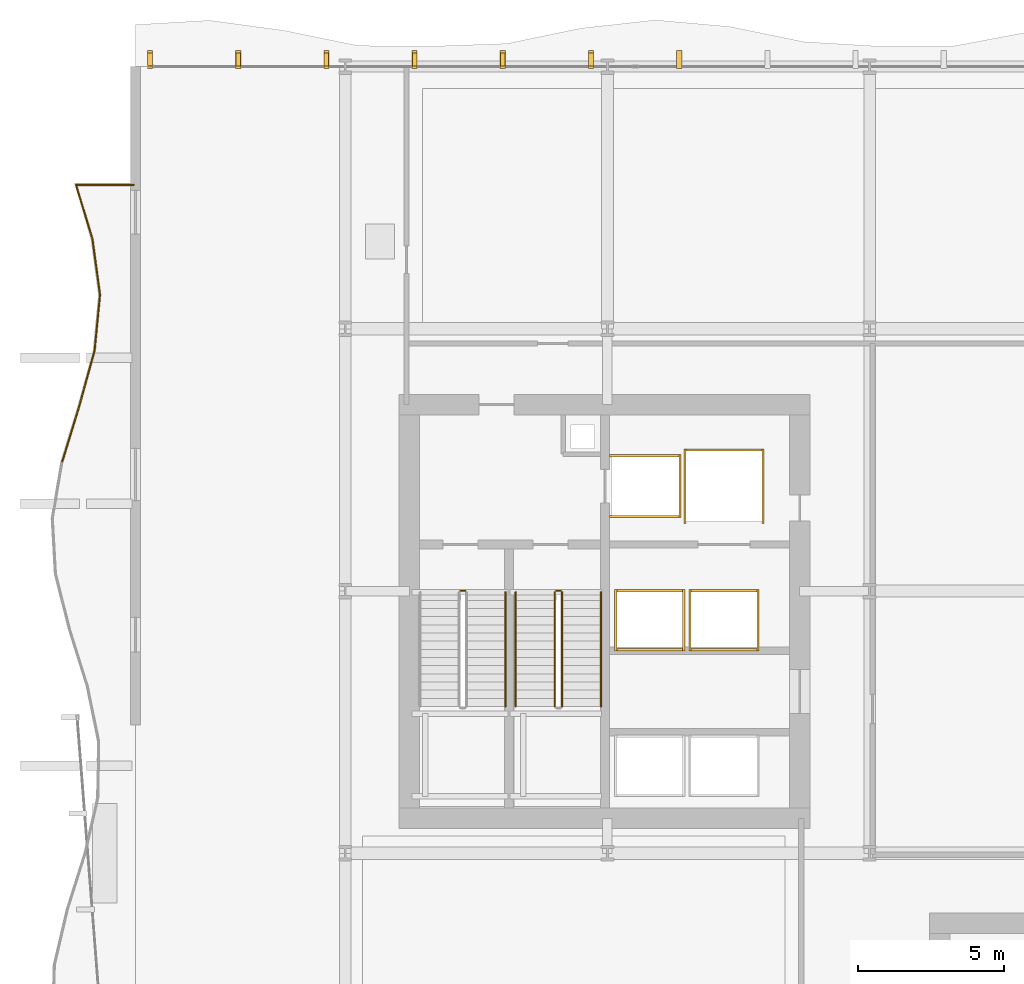
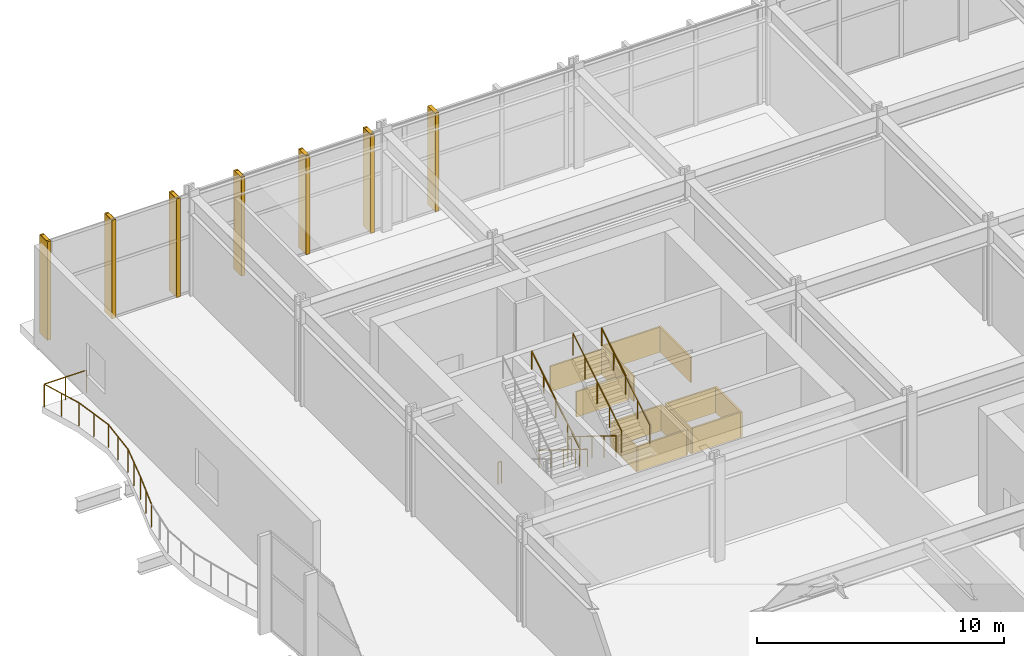
# One storey, part 31 of 33: 21 coverings, 13 railings, 6 shading devices.
"""IFC4 building model written with IfcOpenShell, lengths in metres."""

from ifc_helpers import new_model, si_unit, direction, frame, origin, origin_2d, place, context, subcontext, project, spatial, rectangle, circle, extrude, material, layer, layer_set, type_object, element, save


model = new_model("IFC4")

# Units and contexts
model_context = context("Model", 3, precision=1e-05, world=origin(), true_north=direction((0.0, 1.0)))
body_context = subcontext(model_context, "Body", "Model", "MODEL_VIEW")
ifc_project = project(units=[si_unit("LENGTHUNIT", "METRE"), si_unit("AREAUNIT", "SQUARE_METRE"), si_unit("VOLUMEUNIT", "CUBIC_METRE"), si_unit("PLANEANGLEUNIT", "RADIAN"), si_unit("MASSUNIT", "GRAM", prefix="KILO")], contexts=[model_context])

# Site, building, storey
site_placement = place(None, origin())
site = spatial("IfcSite", under=ifc_project, at=site_placement, CompositionType="ELEMENT")
building_placement = place(site_placement, origin())
building = spatial("IfcBuilding", under=site, at=building_placement, Name="Solvaryn Broadcast Tower", CompositionType="ELEMENT")
storey_placement = place(building_placement, frame((0.0, 0.0, 5.800048828125)))
storey = spatial("IfcBuildingStorey", under=building, at=storey_placement, Name="L01", CompositionType="ELEMENT", Elevation=5.800048828125)

# Coverings
ifc_material_1 = material(Name="Fire-Rated Gypsum Shaftwall Liner", Category="concrete")
ifc_layer_1 = layer(ifc_material_1, 0.080078125)
ifc_layer_set_1 = layer_set([ifc_layer_1], Name="CV-SHAFT-LINER")
covering_type_1 = type_object("IfcCoveringType", Name="CV-SHAFT-LINER", PredefinedType="CLADDING", material=ifc_layer_set_1)
for number, where, z_axis, x_axis, name in (
    (1, (19.300048828125, 40.639892578125, 0.0), (0.0, 0.0, 1.0), (1.0, 0.0, 0.0), "L01 FL1 Hoistway Shaft Liner North"),
    (2, (19.300048828125, 38.56005859375, 0.0), (0.0, 0.0, 1.0), (1.0, 0.0, 0.0), "L01 FL1 Hoistway Shaft Liner South"),
):
    element("IfcCovering", number, at=place(storey_placement, frame(where, z_axis=z_axis, x_axis=x_axis)), inside=storey, type_object=covering_type_1, Name=name, PredefinedType="CLADDING", context=body_context, shape_type="SweptSolid", body=[
        extrude(rectangle(XDim=2.4599609375, YDim=0.080078125, at=origin_2d()), origin(), (0.0, 0.0, 1.0), 1.25),
    ])
covering_1_placement = place(storey_placement, frame((20.489990234375, 39.60009765625, 0.0), z_axis=(0.0, 0.0, 1.0), x_axis=(1.0, 0.0, 0.0)))
element("IfcCovering", 3, at=covering_1_placement, inside=storey, type_object=covering_type_1, Name="L01 FL1 Hoistway Shaft Liner East", PredefinedType="CLADDING", context=body_context, shape_type="SweptSolid", body=[
    extrude(rectangle(XDim=0.080078125, YDim=2.159912109375, at=origin_2d()), origin(), (0.0, 0.0, 1.0), 1.25),
])
covering_2_placement = place(storey_placement, frame((22.0, 40.840087890625, 0.0), z_axis=(0.0, 0.0, 1.0), x_axis=(1.0, 0.0, 0.0)))
element("IfcCovering", 4, at=covering_2_placement, inside=storey, type_object=covering_type_1, Name="L01 SV1 Hoistway Shaft Liner North", PredefinedType="CLADDING", context=body_context, shape_type="SweptSolid", body=[
    extrude(rectangle(XDim=2.760009765625, YDim=0.080078125, at=origin_2d()), origin(), (0.0, 0.0, 1.0), 1.25),
])
for number, where, z_axis, x_axis, name in (
    (5, (23.340087890625, 39.60009765625, 0.0), (0.0, 0.0, 1.0), (1.0, 0.0, 0.0), "L01 SV1 Hoistway Shaft Liner East"),
    (6, (20.659912109375, 39.60009765625, 0.0), (0.0, 0.0, 1.0), (1.0, 0.0, 0.0), "L01 SV1 Hoistway Shaft Liner West"),
):
    element("IfcCovering", number, at=place(storey_placement, frame(where, z_axis=z_axis, x_axis=x_axis)), inside=storey, type_object=covering_type_1, Name=name, PredefinedType="CLADDING", context=body_context, shape_type="SweptSolid", body=[
        extrude(rectangle(XDim=0.080078125, YDim=2.56005859375, at=origin_2d()), origin(), (0.0, 0.0, 1.0), 1.25),
    ])
for number, where, z_axis, x_axis, name in (
    (7, (19.449951171875, 36.014892578125, 0.0), (0.0, 0.0, 1.0), (1.0, 0.0, 0.0), "L01 PH3 Hoistway Shaft Liner North"),
    (8, (19.449951171875, 33.985107421875, 0.0), (0.0, 0.0, 1.0), (1.0, 0.0, 0.0), "L01 PH3 Hoistway Shaft Liner South"),
):
    element("IfcCovering", number, at=place(storey_placement, frame(where, z_axis=z_axis, x_axis=x_axis)), inside=storey, type_object=covering_type_1, Name=name, PredefinedType="CLADDING", context=body_context, shape_type="SweptSolid", body=[
        extrude(rectangle(XDim=2.409912109375, YDim=0.080078125, at=origin_2d()), origin(), (0.0, 0.0, 1.0), 1.25),
    ])
for number, where, z_axis, x_axis, name in (
    (9, (20.614990234375, 35.0, 0.0), (0.0, 0.0, 1.0), (1.0, 0.0, 0.0), "L01 PH3 Hoistway Shaft Liner East"),
    (10, (18.284912109375, 35.0, 0.0), (0.0, 0.0, 1.0), (1.0, 0.0, 0.0), "L01 PH3 Hoistway Shaft Liner West"),
):
    element("IfcCovering", number, at=place(storey_placement, frame(where, z_axis=z_axis, x_axis=x_axis)), inside=storey, type_object=covering_type_1, Name=name, PredefinedType="CLADDING", context=body_context, shape_type="SweptSolid", body=[
        extrude(rectangle(XDim=0.080078125, YDim=2.110107421875, at=origin_2d()), origin(), (0.0, 0.0, 1.0), 1.25),
    ])
for number, where, z_axis, x_axis, name in (
    (11, (22.0, 36.014892578125, 0.0), (0.0, 0.0, 1.0), (1.0, 0.0, 0.0), "L01 PH4 Hoistway Shaft Liner North"),
    (12, (22.0, 33.985107421875, 0.0), (0.0, 0.0, 1.0), (1.0, 0.0, 0.0), "L01 PH4 Hoistway Shaft Liner South"),
):
    element("IfcCovering", number, at=place(storey_placement, frame(where, z_axis=z_axis, x_axis=x_axis)), inside=storey, type_object=covering_type_1, Name=name, PredefinedType="CLADDING", context=body_context, shape_type="SweptSolid", body=[
        extrude(rectangle(XDim=2.409912109375, YDim=0.080078125, at=origin_2d()), origin(), (0.0, 0.0, 1.0), 1.25),
    ])
for number, where, z_axis, x_axis, name in (
    (13, (23.1650390625, 35.0, 0.0), (0.0, 0.0, 1.0), (1.0, 0.0, 0.0), "L01 PH4 Hoistway Shaft Liner East"),
    (14, (20.8349609375, 35.0, 0.0), (0.0, 0.0, 1.0), (1.0, 0.0, 0.0), "L01 PH4 Hoistway Shaft Liner West"),
):
    element("IfcCovering", number, at=place(storey_placement, frame(where, z_axis=z_axis, x_axis=x_axis)), inside=storey, type_object=covering_type_1, Name=name, PredefinedType="CLADDING", context=body_context, shape_type="SweptSolid", body=[
        extrude(rectangle(XDim=0.080078125, YDim=2.110107421875, at=origin_2d()), origin(), (0.0, 0.0, 1.0), 1.25),
    ])
ifc_material_2 = material(Name="Extruded Architectural Terracotta Fin", Category="masonry")
ifc_layer_2 = layer(ifc_material_2, 0.179931640625)
ifc_layer_set_2 = layer_set([ifc_layer_2], Name="CV-TC-FIN")
covering_type_2 = type_object("IfcCoveringType", Name="CV-TC-FIN", PredefinedType="USERDEFINED", material=ifc_layer_set_2)
for number, where, z_axis, x_axis, name in (
    (15, (2.300048828125, 54.25, 0.0), (0.0, 0.0, 1.0), (1.0, 0.0, 0.0), "L01 Terracotta Vertical Fin FIN-POD-L01-N1-00"),
    (16, (5.327392578125, 54.25, 0.0), (0.0, 0.0, 1.0), (1.0, 0.0, 0.0), "L01 Terracotta Vertical Fin FIN-POD-L01-N1-01"),
    (17, (8.3544921875, 54.25, 0.0), (0.0, 0.0, 1.0), (1.0, 0.0, 0.0), "L01 Terracotta Vertical Fin FIN-POD-L01-N1-02"),
    (18, (11.3818359375, 54.25, 0.0), (0.0, 0.0, 1.0), (1.0, 0.0, 0.0), "L01 Terracotta Vertical Fin FIN-POD-L01-N1-03"),
    (19, (14.4091796875, 54.25, 0.0), (0.0, 0.0, 1.0), (1.0, 0.0, 0.0), "L01 Terracotta Vertical Fin FIN-POD-L01-N1-04"),
    (20, (17.436279296875, 54.25, 0.0), (0.0, 0.0, 1.0), (1.0, 0.0, 0.0), "L01 Terracotta Vertical Fin FIN-POD-L01-N1-05"),
    (21, (20.463623046875, 54.25, 0.0), (0.0, 0.0, 1.0), (1.0, 0.0, 0.0), "L01 Terracotta Vertical Fin FIN-POD-L01-N1-06"),
):
    element("IfcCovering", number, at=place(storey_placement, frame(where, z_axis=z_axis, x_axis=x_axis)), inside=storey, type_object=covering_type_2, Name=name, ObjectType="FIN", PredefinedType="USERDEFINED", context=body_context, shape_type="SweptSolid", body=[
        extrude(rectangle(XDim=0.179931640625, YDim=0.6201171875, at=origin_2d()), origin(), (0.0, 0.0, 1.0), 4.8798828125),
    ])

# Railings
ifc_material_3 = material(Name="Painted Steel Stair Well Guard", Category="steel")
railing_type_1 = type_object("IfcRailingType", Name="RL-STAIR-GUARD", PredefinedType="BALUSTRADE", material=ifc_material_3)
railing_1_placement = place(storey_placement, frame((12.9599609375, 36.010009765625, 0.0)))
element("IfcRailing", 22, at=railing_1_placement, inside=storey, type_object=railing_type_1, Name="L01 ST1 stair guard 4", PredefinedType="BALUSTRADE", context=body_context, shape_type="SweptSolid", body=[
    extrude(circle(Radius=0.02392578125, at=origin_2d()), frame((0.0, 0.0, 1.076171875), z_axis=(1.0, 0.0, 0.0), x_axis=(0.0, 1.0, 0.0)), (0.0, 0.0, 1.0), 0.150146484375),
    extrude(circle(Radius=0.02099609375, at=origin_2d()), origin(), (0.0, 0.0, 1.0), 1.052001953125),
    extrude(circle(Radius=0.02099609375, at=origin_2d()), frame((0.150146484375, 0.0, 0.0)), (0.0, 0.0, 1.0), 1.052001953125),
])
railing_2_placement = place(storey_placement, frame((16.18994140625, 35.9599609375, 0.17333984375)))
element("IfcRailing", 23, at=railing_2_placement, inside=storey, type_object=railing_type_1, Name="L01 ST2 stair guard 1", PredefinedType="BALUSTRADE", context=body_context, shape_type="SweptSolid", body=[
    extrude(circle(Radius=0.02392578125, at=origin_2d()), frame((0.0, 0.0, 1.076171875), z_axis=(0.0, -0.850275303828, 0.526338206574), x_axis=(1.0, 0.0, 0.0)), (0.0, 0.0, 1.0), 4.610107421875),
    extrude(circle(Radius=0.02099609375, at=origin_2d()), origin(), (0.0, 0.0, 1.0), 1.052001953125),
    extrude(circle(Radius=0.02099609375, at=origin_2d()), frame((0.0, -0.97998046875, 0.606689453125)), (0.0, 0.0, 1.0), 1.052001953125),
    extrude(circle(Radius=0.02099609375, at=origin_2d()), frame((0.0, -1.9599609375, 1.21337890625)), (0.0, 0.0, 1.0), 1.052001953125),
    extrude(circle(Radius=0.02099609375, at=origin_2d()), frame((0.0, -2.93994140625, 1.81982421875)), (0.0, 0.0, 1.0), 1.052001953125),
    extrude(circle(Radius=0.02099609375, at=origin_2d()), frame((0.0, -3.919921875, 2.426513671875)), (0.0, 0.0, 1.0), 1.052001953125),
])
railing_3_placement = place(storey_placement, frame((16.43994140625, 32.0400390625, 2.773193359375)))
element("IfcRailing", 24, at=railing_3_placement, inside=storey, type_object=railing_type_1, Name="L01 ST2 stair guard 3", PredefinedType="BALUSTRADE", context=body_context, shape_type="SweptSolid", body=[
    extrude(circle(Radius=0.02392578125, at=origin_2d()), frame((0.0, 0.0, 1.076171875), z_axis=(0.0, 0.850251603719, 0.526376491091), x_axis=(-1.0, 0.0, 0.0)), (0.0, 0.0, 1.0), 4.6103515625),
    extrude(circle(Radius=0.02099609375, at=origin_2d()), origin(), (0.0, 0.0, 1.0), 1.052001953125),
    extrude(circle(Radius=0.02099609375, at=origin_2d()), frame((0.0, 0.97998046875, 0.606689453125)), (0.0, 0.0, 1.0), 1.052001953125),
    extrude(circle(Radius=0.02099609375, at=origin_2d()), frame((0.0, 1.9599609375, 1.21337890625)), (0.0, 0.0, 1.0), 1.052001953125),
    extrude(circle(Radius=0.02099609375, at=origin_2d()), frame((0.0, 2.93994140625, 1.820068359375)), (0.0, 0.0, 1.0), 1.052001953125),
    extrude(circle(Radius=0.02099609375, at=origin_2d()), frame((0.0, 3.919921875, 2.4267578125)), (0.0, 0.0, 1.0), 1.052001953125),
])
railing_4_placement = place(storey_placement, frame((16.239990234375, 36.010009765625, 0.0)))
element("IfcRailing", 25, at=railing_4_placement, inside=storey, type_object=railing_type_1, Name="L01 ST2 stair guard 4", PredefinedType="BALUSTRADE", context=body_context, shape_type="SweptSolid", body=[
    extrude(circle(Radius=0.02392578125, at=origin_2d()), frame((0.0, 0.0, 1.076171875), z_axis=(1.0, 0.0, 0.0), x_axis=(0.0, 1.0, 0.0)), (0.0, 0.0, 1.0), 0.14990234375),
    extrude(circle(Radius=0.02099609375, at=origin_2d()), origin(), (0.0, 0.0, 1.0), 1.052001953125),
    extrude(circle(Radius=0.02099609375, at=origin_2d()), frame((0.14990234375, 0.0, 0.0)), (0.0, 0.0, 1.0), 1.052001953125),
])
ifc_material_4 = material(Name="Brushed Stainless Steel Tubular Handrail", Category="steel")
railing_type_2 = type_object("IfcRailingType", Name="RL-STAIR-HANDRAIL", PredefinedType="HANDRAIL", material=ifc_material_4)
railing_5_placement = place(storey_placement, frame((14.5, 32.0400390625, 2.773193359375)))
element("IfcRailing", 26, at=railing_5_placement, inside=storey, type_object=railing_type_2, Name="L01 ST1 stair handrail 2", PredefinedType="HANDRAIL", context=body_context, shape_type="SweptSolid", body=[
    extrude(circle(Radius=0.02392578125, at=origin_2d()), frame((0.0, 0.0, 0.8759765625), z_axis=(0.0, 0.850251603719, 0.526376491091), x_axis=(-1.0, 0.0, 0.0)), (0.0, 0.0, 1.0), 4.6103515625),
    extrude(circle(Radius=0.02099609375, at=origin_2d()), origin(), (0.0, 0.0, 1.0), 0.851806640625),
    extrude(circle(Radius=0.02099609375, at=origin_2d()), frame((0.0, 0.97998046875, 0.606689453125)), (0.0, 0.0, 1.0), 0.851806640625),
    extrude(circle(Radius=0.02099609375, at=origin_2d()), frame((0.0, 1.9599609375, 1.21337890625)), (0.0, 0.0, 1.0), 0.851806640625),
    extrude(circle(Radius=0.02099609375, at=origin_2d()), frame((0.0, 2.93994140625, 1.820068359375)), (0.0, 0.0, 1.0), 0.851806640625),
    extrude(circle(Radius=0.02099609375, at=origin_2d()), frame((0.0, 3.919921875, 2.4267578125)), (0.0, 0.0, 1.0), 0.851806640625),
])
railing_6_placement = place(storey_placement, frame((14.85009765625, 35.9599609375, 0.17333984375)))
element("IfcRailing", 27, at=railing_6_placement, inside=storey, type_object=railing_type_2, Name="L01 ST2 stair handrail 1", PredefinedType="HANDRAIL", context=body_context, shape_type="SweptSolid", body=[
    extrude(circle(Radius=0.02392578125, at=origin_2d()), frame((0.0, 0.0, 0.8759765625), z_axis=(0.0, -0.850275303828, 0.526338206574), x_axis=(1.0, 0.0, 0.0)), (0.0, 0.0, 1.0), 4.610107421875),
    extrude(circle(Radius=0.02099609375, at=origin_2d()), origin(), (0.0, 0.0, 1.0), 0.851806640625),
    extrude(circle(Radius=0.02099609375, at=origin_2d()), frame((0.0, -0.97998046875, 0.606689453125)), (0.0, 0.0, 1.0), 0.851806640625),
    extrude(circle(Radius=0.02099609375, at=origin_2d()), frame((0.0, -1.9599609375, 1.21337890625)), (0.0, 0.0, 1.0), 0.851806640625),
    extrude(circle(Radius=0.02099609375, at=origin_2d()), frame((0.0, -2.93994140625, 1.81982421875)), (0.0, 0.0, 1.0), 0.851806640625),
    extrude(circle(Radius=0.02099609375, at=origin_2d()), frame((0.0, -3.919921875, 2.426513671875)), (0.0, 0.0, 1.0), 0.851806640625),
])
railing_7_placement = place(storey_placement, frame((17.780029296875, 32.0400390625, 2.773193359375)))
element("IfcRailing", 28, at=railing_7_placement, inside=storey, type_object=railing_type_2, Name="L01 ST2 stair handrail 2", PredefinedType="HANDRAIL", context=body_context, shape_type="SweptSolid", body=[
    extrude(circle(Radius=0.02392578125, at=origin_2d()), frame((0.0, 0.0, 0.8759765625), z_axis=(0.0, 0.850251603719, 0.526376491091), x_axis=(-1.0, 0.0, 0.0)), (0.0, 0.0, 1.0), 4.6103515625),
    extrude(circle(Radius=0.02099609375, at=origin_2d()), origin(), (0.0, 0.0, 1.0), 0.851806640625),
    extrude(circle(Radius=0.02099609375, at=origin_2d()), frame((0.0, 0.97998046875, 0.606689453125)), (0.0, 0.0, 1.0), 0.851806640625),
    extrude(circle(Radius=0.02099609375, at=origin_2d()), frame((0.0, 1.9599609375, 1.21337890625)), (0.0, 0.0, 1.0), 0.851806640625),
    extrude(circle(Radius=0.02099609375, at=origin_2d()), frame((0.0, 2.93994140625, 1.820068359375)), (0.0, 0.0, 1.0), 0.851806640625),
    extrude(circle(Radius=0.02099609375, at=origin_2d()), frame((0.0, 3.919921875, 2.4267578125)), (0.0, 0.0, 1.0), 0.851806640625),
])
ifc_material_5 = material(Name="Stainless Steel and Laminated Glass Guard", Category="steel")
railing_type_3 = type_object("IfcRailingType", Name="RL-TER-1150", PredefinedType="BALUSTRADE", material=ifc_material_5)
railing_8_placement = place(storey_placement, frame((-0.720458984375, 40.416748046875, 0.0)))
element("IfcRailing", 29, at=railing_8_placement, inside=storey, type_object=railing_type_3, Name="L01 Terrace Guard TS01W-21", PredefinedType="BALUSTRADE", context=body_context, shape_type="SweptSolid", body=[
    extrude(circle(Radius=0.02392578125, at=origin_2d()), frame((0.0, 0.0, 1.1259765625), z_axis=(0.293375475956, 0.955997296078, 0.0), x_axis=(-0.955997296078, 0.293375475956, 0.0)), (0.0, 0.0, 1.0), 2.004638671875),
    extrude(circle(Radius=0.02099609375, at=origin_2d()), origin(), (0.0, 0.0, 1.0), 1.101806640625),
    extrude(circle(Radius=0.02099609375, at=origin_2d()), frame((0.2939453125, 0.958251953125, 0.0)), (0.0, 0.0, 1.0), 1.101806640625),
    extrude(circle(Radius=0.02099609375, at=origin_2d()), frame((0.588134765625, 1.91650390625, 0.0)), (0.0, 0.0, 1.0), 1.101806640625),
])
railing_9_placement = place(storey_placement, frame((-0.13232421875, 42.333251953125, 0.0)))
element("IfcRailing", 30, at=railing_9_placement, inside=storey, type_object=railing_type_3, Name="L01 Terrace Guard TS01W-22", PredefinedType="BALUSTRADE", context=body_context, shape_type="SweptSolid", body=[
    extrude(circle(Radius=0.02392578125, at=origin_2d()), frame((0.0, 0.0, 1.1259765625), z_axis=(0.266522967796, 0.963828567556, 0.0), x_axis=(-0.963828567556, 0.266522967796, 0.0)), (0.0, 0.0, 1.0), 1.98876953125),
    extrude(circle(Radius=0.02099609375, at=origin_2d()), origin(), (0.0, 0.0, 1.0), 1.101806640625),
    extrude(circle(Radius=0.02099609375, at=origin_2d()), frame((0.26513671875, 0.95849609375, 0.0)), (0.0, 0.0, 1.0), 1.101806640625),
    extrude(circle(Radius=0.02099609375, at=origin_2d()), frame((0.530029296875, 1.916748046875, 0.0)), (0.0, 0.0, 1.0), 1.101806640625),
])
railing_10_placement = place(storey_placement, frame((0.397705078125, 44.25, 0.0)))
element("IfcRailing", 31, at=railing_10_placement, inside=storey, type_object=railing_type_3, Name="L01 Terrace Guard TS01W-23", PredefinedType="BALUSTRADE", context=body_context, shape_type="SweptSolid", body=[
    extrude(circle(Radius=0.02392578125, at=origin_2d()), frame((0.0, 0.0, 1.1259765625), z_axis=(0.096352556873, 0.995347268436, 0.0), x_axis=(-0.995347268436, 0.096352556873, 0.0)), (0.0, 0.0, 1.0), 1.92578125),
    extrude(circle(Radius=0.02099609375, at=origin_2d()), origin(), (0.0, 0.0, 1.0), 1.101806640625),
    extrude(circle(Radius=0.02099609375, at=origin_2d()), frame((0.0927734375, 0.95849609375, 0.0)), (0.0, 0.0, 1.0), 1.101806640625),
    extrude(circle(Radius=0.02099609375, at=origin_2d()), frame((0.185546875, 1.916748046875, 0.0)), (0.0, 0.0, 1.0), 1.101806640625),
])
railing_11_placement = place(storey_placement, frame((0.583251953125, 46.166748046875, 0.0)))
element("IfcRailing", 32, at=railing_11_placement, inside=storey, type_object=railing_type_3, Name="L01 Terrace Guard TS01W-24", PredefinedType="BALUSTRADE", context=body_context, shape_type="SweptSolid", body=[
    extrude(circle(Radius=0.02392578125, at=origin_2d()), frame((0.0, 0.0, 1.1259765625), z_axis=(-0.134065323741, 0.990972496576, 0.0), x_axis=(-0.990972496576, -0.134065323741, 0.0)), (0.0, 0.0, 1.0), 1.93408203125),
    extrude(circle(Radius=0.02099609375, at=origin_2d()), origin(), (0.0, 0.0, 1.0), 1.101806640625),
    extrude(circle(Radius=0.02099609375, at=origin_2d()), frame((-0.129638671875, 0.958251953125, 0.0)), (0.0, 0.0, 1.0), 1.101806640625),
    extrude(circle(Radius=0.02099609375, at=origin_2d()), frame((-0.25927734375, 1.91650390625, 0.0)), (0.0, 0.0, 1.0), 1.101806640625),
])
railing_12_placement = place(storey_placement, frame((0.323974609375, 48.083251953125, 0.0)))
element("IfcRailing", 33, at=railing_12_placement, inside=storey, type_object=railing_type_3, Name="L01 Terrace Guard TS01W-25", PredefinedType="BALUSTRADE", context=body_context, shape_type="SweptSolid", body=[
    extrude(circle(Radius=0.02392578125, at=origin_2d()), frame((0.0, 0.0, 1.1259765625), z_axis=(-0.290635885653, 0.956833727442, 0.0), x_axis=(-0.956833727442, -0.290635885653, 0.0)), (0.0, 0.0, 1.0), 1.9404296875),
    extrude(circle(Radius=0.02099609375, at=origin_2d()), origin(), (0.0, 0.0, 1.0), 1.101806640625),
    extrude(circle(Radius=0.02099609375, at=origin_2d()), frame((-0.281982421875, 0.92822265625, 0.0)), (0.0, 0.0, 1.0), 1.101806640625),
    extrude(circle(Radius=0.02099609375, at=origin_2d()), frame((-0.56396484375, 1.856689453125, 0.0)), (0.0, 0.0, 1.0), 1.101806640625),
])
railing_13_placement = place(storey_placement, frame((-0.239990234375, 49.93994140625, 0.0)))
element("IfcRailing", 34, at=railing_13_placement, inside=storey, type_object=railing_type_3, Name="L01 Terrace Guard TS01W-26", PredefinedType="BALUSTRADE", context=body_context, shape_type="SweptSolid", body=[
    extrude(circle(Radius=0.02392578125, at=origin_2d()), frame((0.0, 0.0, 1.1259765625), z_axis=(1.0, 0.0, 0.0), x_axis=(0.0, 1.0, 0.0)), (0.0, 0.0, 1.0), 1.97998046875),
    extrude(circle(Radius=0.02099609375, at=origin_2d()), origin(), (0.0, 0.0, 1.0), 1.101806640625),
    extrude(circle(Radius=0.02099609375, at=origin_2d()), frame((0.989990234375, 0.0, 0.0)), (0.0, 0.0, 1.0), 1.101806640625),
    extrude(circle(Radius=0.02099609375, at=origin_2d()), frame((1.97998046875, 0.0, 0.0)), (0.0, 0.0, 1.0), 1.101806640625),
])

# Shading devices
ifc_material_6 = material(Name="Kiln-Fired Architectural Terracotta Fin", Category="masonry")
shading_device_type = type_object("IfcShadingDeviceType", Name="FN-01 Terracotta Vertical Fin", PredefinedType="USERDEFINED", material=ifc_material_6)
for number, where, z_axis, x_axis, name in (
    (35, (2.300048828125, 54.25, 0.0), (0.0, 0.0, 1.0), (1.0, 0.0, 0.0), "L01 Vertical Terracotta Fin SHDFIN-L01-0"),
    (36, (5.327392578125, 54.25, 0.0), (0.0, 0.0, 1.0), (1.0, 0.0, 0.0), "L01 Vertical Terracotta Fin SHDFIN-L01-1"),
    (37, (8.3544921875, 54.25, 0.0), (0.0, 0.0, 1.0), (1.0, 0.0, 0.0), "L01 Vertical Terracotta Fin SHDFIN-L01-2"),
    (38, (11.3818359375, 54.25, 0.0), (0.0, 0.0, 1.0), (1.0, 0.0, 0.0), "L01 Vertical Terracotta Fin SHDFIN-L01-3"),
    (39, (14.4091796875, 54.25, 0.0), (0.0, 0.0, 1.0), (1.0, 0.0, 0.0), "L01 Vertical Terracotta Fin SHDFIN-L01-4"),
    (40, (17.436279296875, 54.25, 0.0), (0.0, 0.0, 1.0), (1.0, 0.0, 0.0), "L01 Vertical Terracotta Fin SHDFIN-L01-5"),
):
    element("IfcShadingDevice", number, at=place(storey_placement, frame(where, z_axis=z_axis, x_axis=x_axis)), inside=storey, type_object=shading_device_type, Name=name, ObjectType="FIN", PredefinedType="USERDEFINED", context=body_context, shape_type="SweptSolid", body=[
        extrude(rectangle(XDim=0.159912109375, YDim=0.449951171875, at=origin_2d()), origin(), (0.0, 0.0, 1.0), 4.8798828125),
    ])

save(model, "model.ifc")
